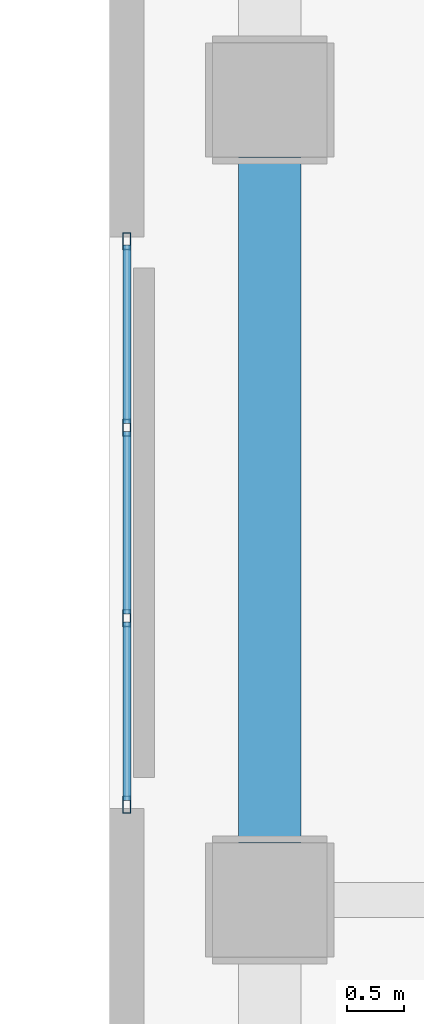
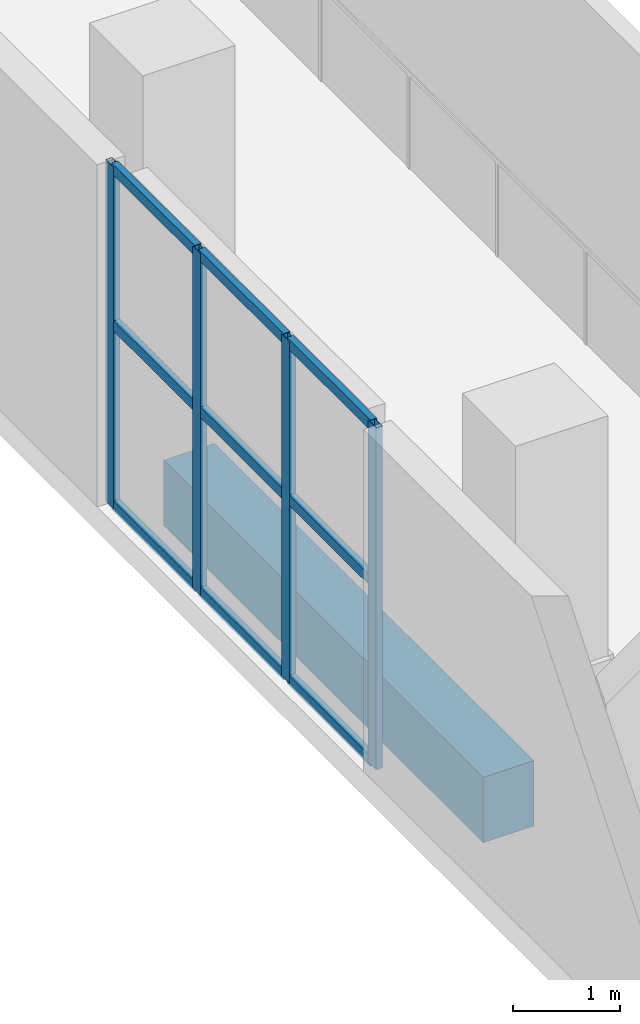
# One storey, part 6 of 24: 13 members, 1 beam, 1 element without a shape of its own.
"""IFC4 building model written with IfcOpenShell, lengths in metres."""

from ifc_helpers import new_model, si_unit, direction, frame, origin, origin_2d, place, context, subcontext, project, spatial, rectangle, hollow_rectangle, extrude, material, layer, layer_set, material_profile, profile_set, type_object, element, aggregate, save


model = new_model("IFC4")

# Units and contexts
model_context = context("Model", 3, precision=1e-05, world=origin(), true_north=direction((0.0, 1.0)))
body_context = subcontext(model_context, "Body", "Model", "MODEL_VIEW")
ifc_project = project(units=[si_unit("LENGTHUNIT", "METRE"), si_unit("AREAUNIT", "SQUARE_METRE"), si_unit("VOLUMEUNIT", "CUBIC_METRE"), si_unit("PLANEANGLEUNIT", "RADIAN"), si_unit("MASSUNIT", "GRAM", prefix="KILO")], contexts=[model_context])

# Site, building, storey
site_placement = place(None, origin())
site = spatial("IfcSite", under=ifc_project, at=site_placement, CompositionType="ELEMENT")
building_placement = place(site_placement, origin())
building = spatial("IfcBuilding", under=site, at=building_placement, Name="Solanera Arch Residences", CompositionType="ELEMENT")
storey_placement = place(building_placement, frame((0.0, 0.0, 5.199951171875)))
storey = spatial("IfcBuildingStorey", under=building, at=storey_placement, Name="L01", CompositionType="ELEMENT", Elevation=5.199951171875)

# Curtain wall, members
ifc_material_1 = material(Name="Anodised Aluminium Alloy 6063-T6", Category="aluminium")
ifc_layer = layer(ifc_material_1, 0.159912109375)
ifc_layer_set = layer_set([ifc_layer], Name="Anodised Aluminium Alloy 6063-T6")
curtain_wall_type = type_object("IfcCurtainWallType", Name="CW-3 Sports Hall Foyer Curtain Wall", PredefinedType="USERDEFINED", material=ifc_layer_set)
curtain_wall_placement = place(storey_placement, origin())
curtain_wall = element("IfcCurtainWall", 1, at=curtain_wall_placement, inside=storey, type_object=curtain_wall_type, Name="L01 Sports Hall Foyer Curtain Wall 1", ObjectType="CURTAIN_WALL", PredefinedType="USERDEFINED")
ifc_material_2 = material(Name="Anodised Aluminium Alloy 6063-T6", Category="aluminium")
ifc_material_profile_1 = material_profile(ifc_material_2, hollow_rectangle(XDim=0.070068359375, YDim=0.14990234375, WallThickness=0.00390625, at=origin_2d()))
ifc_profile_set_1 = profile_set([ifc_material_profile_1], Name="Anodised Aluminium Alloy 6063-T6")
member_type_1 = type_object("IfcMemberType", Name="Curtain Wall Mullion ALU-MUL-70X150", PredefinedType="MULLION", material=ifc_profile_set_1)
member_1_placement = place(storey_placement, frame((54.550048828125, 20.635009765625, 0.0), z_axis=(0.0, 0.0, 1.0), x_axis=(-1.0, 0.0, 0.0)))
member_1 = element("IfcMember", 2, at=member_1_placement, type_object=member_type_1, Name="CW-3 mullion 1", PredefinedType="MULLION", context=body_context, shape_type="SweptSolid", body=[
    extrude(hollow_rectangle(XDim=0.070068359375, YDim=0.14990234375, WallThickness=0.00390625, at=origin_2d()), origin(), (0.0, 0.0, 1.0), 3.920166015625),
])
member_2_placement = place(storey_placement, frame((54.550048828125, 22.2666015625, 0.0), z_axis=(0.0, 0.0, 1.0), x_axis=(-1.0, 0.0, 0.0)))
member_2 = element("IfcMember", 3, at=member_2_placement, type_object=member_type_1, Name="CW-3 mullion 2", PredefinedType="MULLION", context=body_context, shape_type="SweptSolid", body=[
    extrude(hollow_rectangle(XDim=0.070068359375, YDim=0.14990234375, WallThickness=0.00390625, at=origin_2d()), origin(), (0.0, 0.0, 1.0), 3.920166015625),
])
member_3_placement = place(storey_placement, frame((54.550048828125, 23.933349609375, 0.0), z_axis=(0.0, 0.0, 1.0), x_axis=(-1.0, 0.0, 0.0)))
member_3 = element("IfcMember", 4, at=member_3_placement, type_object=member_type_1, Name="CW-3 mullion 3", PredefinedType="MULLION", context=body_context, shape_type="SweptSolid", body=[
    extrude(hollow_rectangle(XDim=0.070068359375, YDim=0.14990234375, WallThickness=0.00390625, at=origin_2d()), origin(), (0.0, 0.0, 1.0), 3.920166015625),
])
member_4_placement = place(storey_placement, frame((54.550048828125, 25.56494140625, 0.0), z_axis=(0.0, 0.0, 1.0), x_axis=(-1.0, 0.0, 0.0)))
member_4 = element("IfcMember", 5, at=member_4_placement, type_object=member_type_1, Name="CW-3 mullion 4", PredefinedType="MULLION", context=body_context, shape_type="SweptSolid", body=[
    extrude(hollow_rectangle(XDim=0.070068359375, YDim=0.14990234375, WallThickness=0.00390625, at=origin_2d()), origin(), (0.0, 0.0, 1.0), 3.920166015625),
])
ifc_material_3 = material(Name="Anodised Aluminium Alloy 6063-T6", Category="aluminium")
ifc_material_profile_2 = material_profile(ifc_material_3, hollow_rectangle(XDim=0.070068359375, YDim=0.1201171875, WallThickness=0.00390625, at=origin_2d()))
ifc_profile_set_2 = profile_set([ifc_material_profile_2], Name="Anodised Aluminium Alloy 6063-T6")
member_type_2 = type_object("IfcMemberType", Name="Curtain Wall Transom ALU-TRN-70X120", PredefinedType="USERDEFINED", material=ifc_profile_set_2)
member_5_placement = place(storey_placement, frame((54.550048828125, 20.669921875, 0.03515625), z_axis=(0.0, 1.0, 0.0), x_axis=(-1.0, 0.0, 0.0)))
member_5 = element("IfcMember", 6, at=member_5_placement, type_object=member_type_2, Name="CW-3 transom 1.1", ObjectType="TRANSOM", PredefinedType="USERDEFINED", context=body_context, shape_type="SweptSolid", body=[
    extrude(hollow_rectangle(XDim=0.070068359375, YDim=0.1201171875, WallThickness=0.00390625, at=origin_2d()), origin(), (0.0, 0.0, 1.0), 1.561767578125),
])
member_6_placement = place(storey_placement, frame((54.550048828125, 20.669921875, 2.10009765625), z_axis=(0.0, 1.0, 0.0), x_axis=(-1.0, 0.0, 0.0)))
member_6 = element("IfcMember", 7, at=member_6_placement, type_object=member_type_2, Name="CW-3 transom 1.2", ObjectType="TRANSOM", PredefinedType="USERDEFINED", context=body_context, shape_type="SweptSolid", body=[
    extrude(hollow_rectangle(XDim=0.070068359375, YDim=0.1201171875, WallThickness=0.00390625, at=origin_2d()), origin(), (0.0, 0.0, 1.0), 1.561767578125),
])
member_7_placement = place(storey_placement, frame((54.550048828125, 20.669921875, 3.885009765625), z_axis=(0.0, 1.0, 0.0), x_axis=(-1.0, 0.0, 0.0)))
member_7 = element("IfcMember", 8, at=member_7_placement, type_object=member_type_2, Name="CW-3 transom 1.3", ObjectType="TRANSOM", PredefinedType="USERDEFINED", context=body_context, shape_type="SweptSolid", body=[
    extrude(hollow_rectangle(XDim=0.070068359375, YDim=0.1201171875, WallThickness=0.00390625, at=origin_2d()), origin(), (0.0, 0.0, 1.0), 1.561767578125),
])
member_8_placement = place(storey_placement, frame((54.550048828125, 22.3017578125, 0.03515625), z_axis=(0.0, 1.0, 0.0), x_axis=(-1.0, 0.0, 0.0)))
member_8 = element("IfcMember", 9, at=member_8_placement, type_object=member_type_2, Name="CW-3 transom 2.1", ObjectType="TRANSOM", PredefinedType="USERDEFINED", context=body_context, shape_type="SweptSolid", body=[
    extrude(hollow_rectangle(XDim=0.070068359375, YDim=0.1201171875, WallThickness=0.00390625, at=origin_2d()), origin(), (0.0, 0.0, 1.0), 1.5966796875),
])
member_9_placement = place(storey_placement, frame((54.550048828125, 22.3017578125, 2.10009765625), z_axis=(0.0, 1.0, 0.0), x_axis=(-1.0, 0.0, 0.0)))
member_9 = element("IfcMember", 10, at=member_9_placement, type_object=member_type_2, Name="CW-3 transom 2.2", ObjectType="TRANSOM", PredefinedType="USERDEFINED", context=body_context, shape_type="SweptSolid", body=[
    extrude(hollow_rectangle(XDim=0.070068359375, YDim=0.1201171875, WallThickness=0.00390625, at=origin_2d()), origin(), (0.0, 0.0, 1.0), 1.5966796875),
])
member_10_placement = place(storey_placement, frame((54.550048828125, 22.3017578125, 3.885009765625), z_axis=(0.0, 1.0, 0.0), x_axis=(-1.0, 0.0, 0.0)))
member_10 = element("IfcMember", 11, at=member_10_placement, type_object=member_type_2, Name="CW-3 transom 2.3", ObjectType="TRANSOM", PredefinedType="USERDEFINED", context=body_context, shape_type="SweptSolid", body=[
    extrude(hollow_rectangle(XDim=0.070068359375, YDim=0.1201171875, WallThickness=0.00390625, at=origin_2d()), origin(), (0.0, 0.0, 1.0), 1.5966796875),
])
member_11_placement = place(storey_placement, frame((54.550048828125, 23.96826171875, 0.03515625), z_axis=(0.0, 1.0, 0.0), x_axis=(-1.0, 0.0, 0.0)))
member_11 = element("IfcMember", 12, at=member_11_placement, type_object=member_type_2, Name="CW-3 transom 3.1", ObjectType="TRANSOM", PredefinedType="USERDEFINED", context=body_context, shape_type="SweptSolid", body=[
    extrude(hollow_rectangle(XDim=0.070068359375, YDim=0.1201171875, WallThickness=0.00390625, at=origin_2d()), origin(), (0.0, 0.0, 1.0), 1.561767578125),
])
member_12_placement = place(storey_placement, frame((54.550048828125, 23.96826171875, 2.10009765625), z_axis=(0.0, 1.0, 0.0), x_axis=(-1.0, 0.0, 0.0)))
member_12 = element("IfcMember", 13, at=member_12_placement, type_object=member_type_2, Name="CW-3 transom 3.2", ObjectType="TRANSOM", PredefinedType="USERDEFINED", context=body_context, shape_type="SweptSolid", body=[
    extrude(hollow_rectangle(XDim=0.070068359375, YDim=0.1201171875, WallThickness=0.00390625, at=origin_2d()), origin(), (0.0, 0.0, 1.0), 1.561767578125),
])
member_13_placement = place(storey_placement, frame((54.550048828125, 23.96826171875, 3.885009765625), z_axis=(0.0, 1.0, 0.0), x_axis=(-1.0, 0.0, 0.0)))
member_13 = element("IfcMember", 14, at=member_13_placement, type_object=member_type_2, Name="CW-3 transom 3.3", ObjectType="TRANSOM", PredefinedType="USERDEFINED", context=body_context, shape_type="SweptSolid", body=[
    extrude(hollow_rectangle(XDim=0.070068359375, YDim=0.1201171875, WallThickness=0.00390625, at=origin_2d()), origin(), (0.0, 0.0, 1.0), 1.561767578125),
])
aggregate(curtain_wall, [member_1, member_2, member_3, member_4, member_5, member_6, member_7, member_8, member_9, member_10, member_11, member_12, member_13])

# Beam
ifc_material_4 = material(Name="Concrete C40/50 (f'c = 45 MPa)", Category="concrete")
ifc_material_profile_3 = material_profile(ifc_material_4, rectangle(XDim=0.550048828125, YDim=0.75, at=origin_2d()))
ifc_profile_set_3 = profile_set([ifc_material_profile_3], Name="Concrete C40/50 (f'c = 45 MPa)")
beam_type = type_object("IfcBeamType", Name="Primary Beam RC-BM-550X750", PredefinedType="BEAM", material=ifc_profile_set_3)
beam_placement = place(storey_placement, frame((55.800048828125, 20.300048828125, -0.655029296875), z_axis=(0.0, 1.0, 0.0), x_axis=(-1.0, 0.0, 0.0)))
element("IfcBeam", 15, at=beam_placement, inside=storey, type_object=beam_type, Name="BM-L01-HW-2", PredefinedType="BEAM", context=body_context, shape_type="SweptSolid", body=[
    extrude(rectangle(XDim=0.550048828125, YDim=0.75, at=origin_2d()), origin(), (0.0, 0.0, 1.0), 6.0),
])

save(model, "model.ifc")
